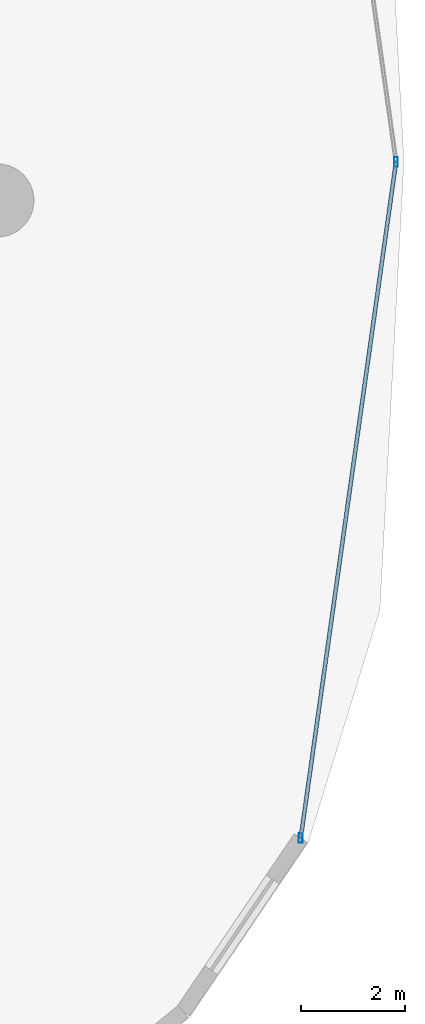
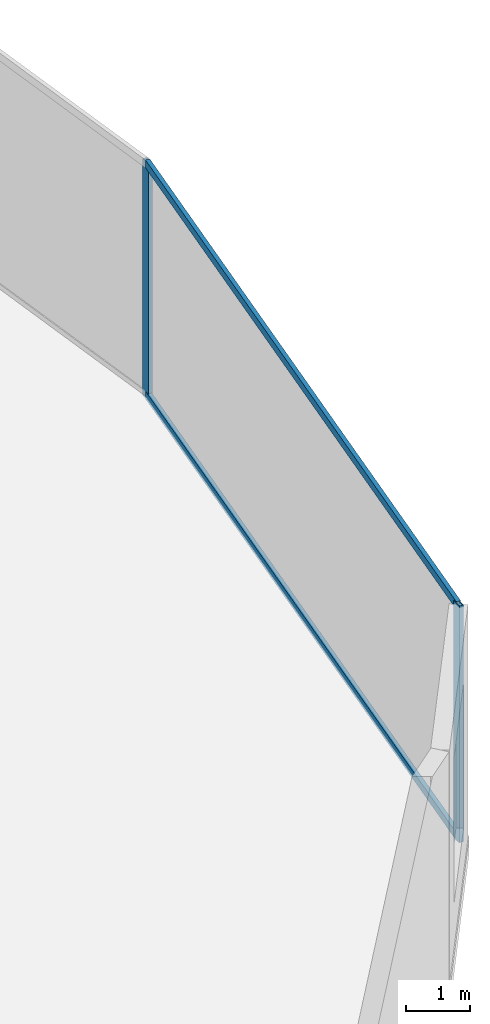
# One storey, part 18 of 26: 4 members, 1 element without a shape of its own.
"""IFC4 building model written with IfcOpenShell, lengths in metres."""

from ifc_helpers import new_model, si_unit, direction, frame, origin, origin_2d, place, context, subcontext, project, spatial, hollow_rectangle, extrude, material, material_profile, profile_set, type_object, element, aggregate, save


model = new_model("IFC4")

# Units and contexts
model_context = context("Model", 3, precision=1e-05, world=origin(), true_north=direction((0.0, 1.0)))
body_context = subcontext(model_context, "Body", "Model", "MODEL_VIEW")
ifc_project = project(units=[si_unit("LENGTHUNIT", "METRE"), si_unit("AREAUNIT", "SQUARE_METRE"), si_unit("VOLUMEUNIT", "CUBIC_METRE"), si_unit("PLANEANGLEUNIT", "RADIAN"), si_unit("MASSUNIT", "GRAM", prefix="KILO")], contexts=[model_context])

# Site, building, storey
site_placement = place(None, origin())
site = spatial("IfcSite", under=ifc_project, at=site_placement, CompositionType="ELEMENT")
building_placement = place(site_placement, origin())
building = spatial("IfcBuilding", under=site, at=building_placement, Name="Vorneva Point Tower", CompositionType="ELEMENT")
storey_placement = place(building_placement, frame((0.0, 0.0, 14.39990234375)))
storey = spatial("IfcBuildingStorey", under=building, at=storey_placement, Name="L03", CompositionType="ELEMENT", Elevation=14.39990234375)

# Curtain wall, members
ifc_material = material(Name="Pale anodised aluminium", Category="aluminium")
curtain_wall_type = type_object("IfcCurtainWallType", Name="CW-POD-SYS", PredefinedType="NOTDEFINED", material=ifc_material)
curtain_wall_placement = place(storey_placement, origin())
curtain_wall = element("IfcCurtainWall", 1, at=curtain_wall_placement, inside=storey, type_object=curtain_wall_type, Name="L03 Unitised Curtain Wall CW-L03-R01", PredefinedType="NOTDEFINED")
ifc_material_profile_1 = material_profile(ifc_material, hollow_rectangle(XDim=0.074951171875, YDim=0.179931640625, WallThickness=0.00390625, at=origin_2d()), Name="AL-MUL 180x75x4")
ifc_profile_set_1 = profile_set([ifc_material_profile_1], Name="Pale anodised aluminium")
member_type_1 = type_object("IfcMemberType", Name="CW-MUL-180", PredefinedType="MULLION", material=ifc_profile_set_1)
member_1_placement = place(storey_placement, frame((70.990234375, 13.0537109375, -0.039794921875), z_axis=(0.0, 0.0, 1.0), x_axis=(1.0, 0.0, 0.0)))
member_1 = element("IfcMember", 2, at=member_1_placement, type_object=member_type_1, Name="CW-L03-R01 Mullion 01", PredefinedType="MULLION", context=body_context, shape_type="SweptSolid", body=[
    extrude(hollow_rectangle(XDim=0.074951171875, YDim=0.179931640625, WallThickness=0.00390625, at=origin_2d()), origin(), (0.0, 0.0, 1.0), 4.5498046875),
])
member_2_placement = place(storey_placement, frame((72.814453125, 26.0, -0.039794921875), z_axis=(0.0, 0.0, 1.0), x_axis=(1.0, 0.0, 0.0)))
member_2 = element("IfcMember", 3, at=member_2_placement, type_object=member_type_1, Name="CW-L03-R01 Mullion 02", PredefinedType="MULLION", context=body_context, shape_type="SweptSolid", body=[
    extrude(hollow_rectangle(XDim=0.074951171875, YDim=0.179931640625, WallThickness=0.00390625, at=origin_2d()), origin(), (0.0, 0.0, 1.0), 4.5498046875),
])
ifc_material_profile_2 = material_profile(ifc_material, hollow_rectangle(XDim=0.074951171875, YDim=0.14990234375, WallThickness=0.00390625, at=origin_2d()), Name="AL-TRN 150x75x4")
ifc_profile_set_2 = profile_set([ifc_material_profile_2], Name="Pale anodised aluminium")
member_type_2 = type_object("IfcMemberType", Name="CW-TRN-150", PredefinedType="USERDEFINED", material=ifc_profile_set_2)
member_3_placement = place(storey_placement, frame((70.990234375, 13.0537109375, 0.02001953125), z_axis=(0.139528352326, 0.990218076434, 0.0), x_axis=(-0.990218076434, 0.139528352326, 0.0)))
member_3 = element("IfcMember", 4, at=member_3_placement, type_object=member_type_2, Name="CW-L03-R01 Transom 01.1", ObjectType="TRANSOM", PredefinedType="USERDEFINED", context=body_context, shape_type="SweptSolid", body=[
    extrude(hollow_rectangle(XDim=0.074951171875, YDim=0.14990234375, WallThickness=0.00390625, at=origin_2d()), origin(), (0.0, 0.0, 1.0), 13.07421875),
])
member_4_placement = place(storey_placement, frame((70.990234375, 13.0537109375, 4.460205078125), z_axis=(0.139528352326, 0.990218076434, 0.0), x_axis=(-0.990218076434, 0.139528352326, 0.0)))
member_4 = element("IfcMember", 5, at=member_4_placement, type_object=member_type_2, Name="CW-L03-R01 Transom 01.2", ObjectType="TRANSOM", PredefinedType="USERDEFINED", context=body_context, shape_type="SweptSolid", body=[
    extrude(hollow_rectangle(XDim=0.074951171875, YDim=0.14990234375, WallThickness=0.00390625, at=origin_2d()), origin(), (0.0, 0.0, 1.0), 13.07421875),
])
aggregate(curtain_wall, [member_1, member_2, member_3, member_4])

save(model, "model.ifc")
